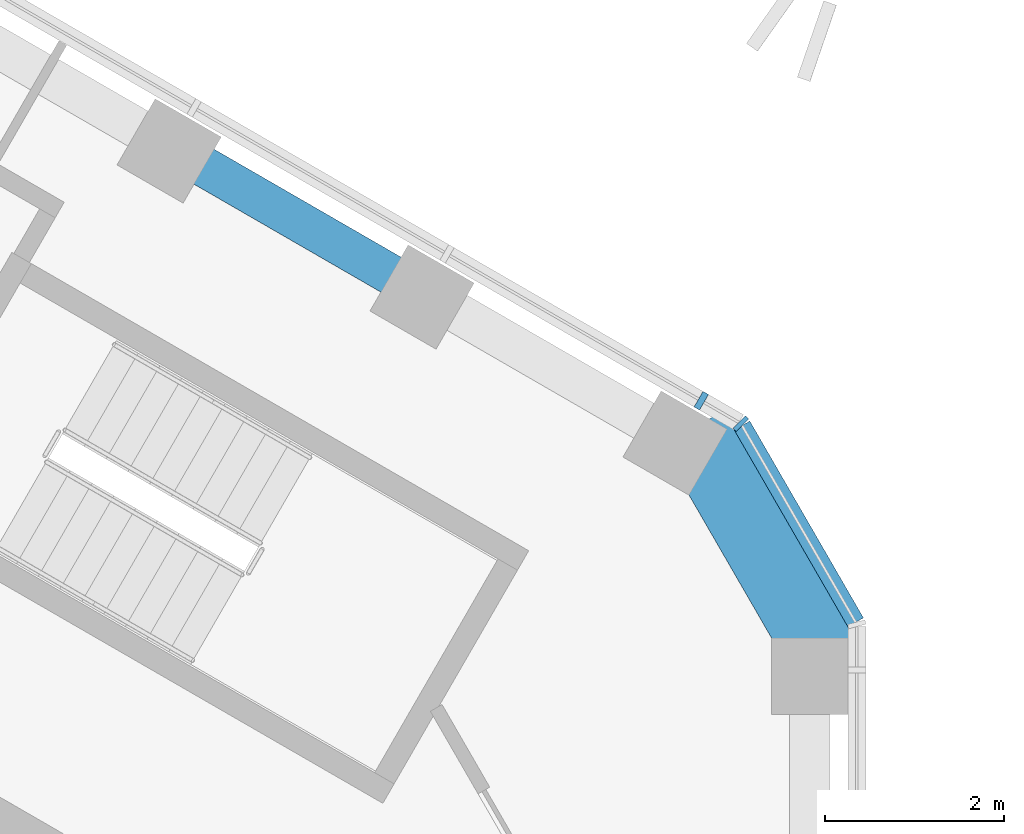
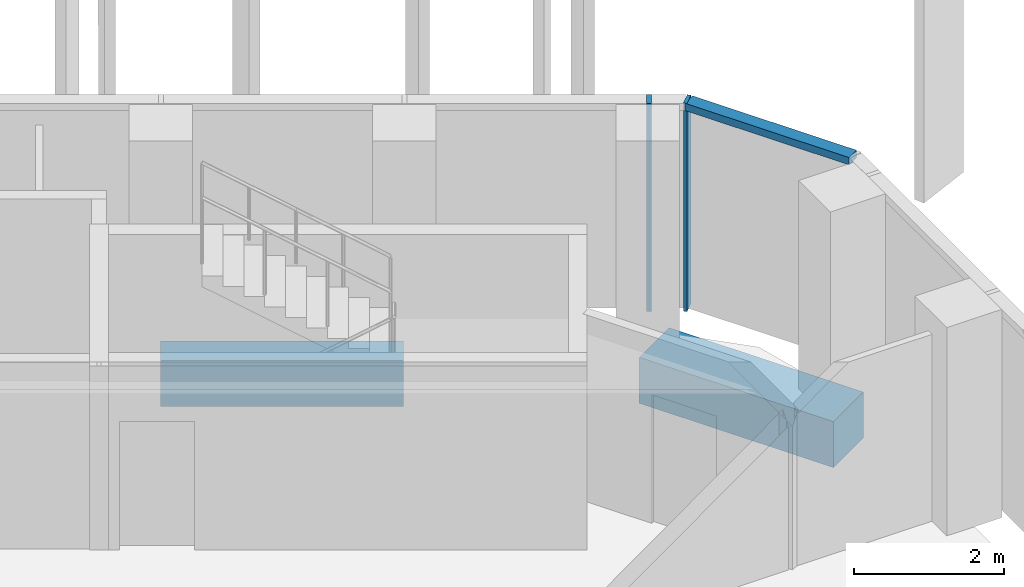
# One storey, part 6 of 18: 3 members, 2 beams, 2 elements without a shape of their own.
"""IFC4 building model written with IfcOpenShell, lengths in metres."""

from ifc_helpers import new_model, si_unit, direction, frame, origin, origin_2d, place, context, subcontext, project, spatial, rectangle, extrude, material, layer, layer_set, material_profile, profile_set, type_object, element, aggregate, save


model = new_model("IFC4")

# Units and contexts
model_context = context("Model", 3, precision=1e-05, world=origin(), true_north=direction((0.0, 1.0)))
body_context = subcontext(model_context, "Body", "Model", "MODEL_VIEW")
ifc_project = project(units=[si_unit("LENGTHUNIT", "METRE"), si_unit("AREAUNIT", "SQUARE_METRE"), si_unit("VOLUMEUNIT", "CUBIC_METRE"), si_unit("PLANEANGLEUNIT", "RADIAN"), si_unit("MASSUNIT", "GRAM", prefix="KILO")], contexts=[model_context])

# Site, building, storey
site_placement = place(None, origin())
site = spatial("IfcSite", under=ifc_project, at=site_placement, CompositionType="ELEMENT")
building_placement = place(site_placement, origin())
building = spatial("IfcBuilding", under=site, at=building_placement, Name="Ayvan Gate Tower", CompositionType="ELEMENT")
storey_placement = place(building_placement, frame((0.0, 0.0, 229.10009765625)))
storey = spatial("IfcBuildingStorey", under=building, at=storey_placement, Name="L61", CompositionType="ELEMENT", Elevation=229.10009765625)

# Beams
ifc_material_1 = material(Name="Concrete C40/50", Category="concrete")
ifc_material_profile_1 = material_profile(ifc_material_1, rectangle(XDim=0.800048828125, YDim=0.75, at=origin_2d()), Name="RC 800x750")
ifc_profile_set_1 = profile_set([ifc_material_profile_1], Name="Concrete C40/50")
beam_type_1 = type_object("IfcBeamType", Name="Corner spandrel beam RC 800x750 C40/50", PredefinedType="BEAM", material=ifc_profile_set_1)
beam_1_placement = place(storey_placement, frame((17.078125, 7.93701171875, -0.72509765625), z_axis=(-0.499990139034, 0.866031096941, 0.0), x_axis=(-0.866031096941, -0.499990139034, 0.0)))
element("IfcBeam", 1, at=beam_1_placement, inside=storey, type_object=beam_type_1, Name="SB-L61-6", PredefinedType="BEAM", context=body_context, shape_type="SweptSolid", body=[
    extrude(rectangle(XDim=0.800048828125, YDim=0.75, at=origin_2d()), origin(), (0.0, 0.0, 1.0), 3.0),
])
ifc_material_profile_2 = material_profile(ifc_material_1, rectangle(XDim=0.449951171875, YDim=0.75, at=origin_2d()), Name="RC 450x750")
ifc_profile_set_2 = profile_set([ifc_material_profile_2], Name="Concrete C40/50")
beam_type_2 = type_object("IfcBeamType", Name="Spandrel beam RC 450x750 C40/50", PredefinedType="BEAM", material=ifc_profile_set_2)
beam_2_placement = place(storey_placement, frame((12.576904296875, 12.0478515625, -0.72509765625), z_axis=(-0.866040267459, 0.499974254476, 0.0), x_axis=(-0.499974254476, -0.866040267459, 0.0)))
element("IfcBeam", 2, at=beam_2_placement, inside=storey, type_object=beam_type_2, Name="SB-L61-8", PredefinedType="BEAM", context=body_context, shape_type="SweptSolid", body=[
    extrude(rectangle(XDim=0.449951171875, YDim=0.75, at=origin_2d()), origin(), (0.0, 0.0, 1.0), 3.245361328125),
])

# Curtain wall, member
ifc_material_2 = material(Name="Bronze anodised aluminium", Category="aluminium")
ifc_layer_1 = layer(ifc_material_2, 0.199951171875)
ifc_layer_set_1 = layer_set([ifc_layer_1], Name="Bronze anodised aluminium")
curtain_wall_type_1 = type_object("IfcCurtainWallType", Name="Stick curtain wall CW-2", PredefinedType="NOTDEFINED", material=ifc_layer_set_1)
curtain_wall_1_placement = place(storey_placement, origin())
curtain_wall_1 = element("IfcCurtainWall", 3, at=curtain_wall_1_placement, inside=storey, type_object=curtain_wall_type_1, Name="Stick curtain wall CW-2 L61", PredefinedType="NOTDEFINED")
ifc_material_profile_3 = material_profile(ifc_material_2, rectangle(XDim=0.199951171875, YDim=0.070068359375, at=origin_2d()), Name="Stick curtain wall CW-2 mullion 200 x 70")
ifc_profile_set_3 = profile_set([ifc_material_profile_3], Name="Bronze anodised aluminium")
member_type_1 = type_object("IfcMemberType", Name="Stick curtain wall CW-2 mullion 200 x 70", PredefinedType="MULLION", material=ifc_profile_set_3)
member_1_placement = place(storey_placement, frame((15.679443359375, 10.84814453125, 0.0), z_axis=(0.0, 0.0, 1.0), x_axis=(0.5, 0.866025403784, 0.0)))
member_1 = element("IfcMember", 4, at=member_1_placement, type_object=member_type_1, Name="CW-2 mullion 1", PredefinedType="MULLION", context=body_context, shape_type="SweptSolid", body=[
    extrude(rectangle(XDim=0.199951171875, YDim=0.070068359375, at=origin_2d()), origin(), (0.0, 0.0, 1.0), 3.39990234375),
])
aggregate(curtain_wall_1, [member_1])

# Curtain wall, members
ifc_layer_2 = layer(ifc_material_2, 0.199951171875)
ifc_layer_set_2 = layer_set([ifc_layer_2], Name="Bronze anodised aluminium")
curtain_wall_type_2 = type_object("IfcCurtainWallType", Name="Stick curtain wall CW-6", PredefinedType="NOTDEFINED", material=ifc_layer_set_2)
curtain_wall_2_placement = place(storey_placement, origin())
curtain_wall_2 = element("IfcCurtainWall", 5, at=curtain_wall_2_placement, inside=storey, type_object=curtain_wall_type_2, Name="Stick curtain wall CW-6 L61", PredefinedType="NOTDEFINED")
ifc_material_profile_4 = material_profile(ifc_material_2, rectangle(XDim=0.199951171875, YDim=0.050048828125, at=origin_2d()), Name="Stick curtain wall CW-6 mullion 200 x 50")
ifc_profile_set_4 = profile_set([ifc_material_profile_4], Name="Bronze anodised aluminium")
member_type_2 = type_object("IfcMemberType", Name="Stick curtain wall CW-6 mullion 200 x 50", PredefinedType="MULLION", material=ifc_profile_set_4)
member_2_placement = place(storey_placement, frame((16.12109375, 10.593017578125, 0.0), z_axis=(0.0, 0.0, 1.0), x_axis=(0.707106781187, 0.707106781187, 0.0)))
member_2 = element("IfcMember", 6, at=member_2_placement, type_object=member_type_2, Name="CW-6 mullion 3", PredefinedType="MULLION", context=body_context, shape_type="SweptSolid", body=[
    extrude(rectangle(XDim=0.199951171875, YDim=0.050048828125, at=origin_2d()), origin(), (0.0, 0.0, 1.0), 3.39990234375),
])
ifc_material_profile_5 = material_profile(ifc_material_2, rectangle(XDim=0.199951171875, YDim=0.1201171875, at=origin_2d()), Name="Stick curtain wall CW-6 transom 200 x 120")
ifc_profile_set_5 = profile_set([ifc_material_profile_5], Name="Bronze anodised aluminium")
member_type_3 = type_object("IfcMemberType", Name="Stick curtain wall CW-6 transom 200 x 120", PredefinedType="USERDEFINED", material=ifc_profile_set_5)
member_3_placement = place(storey_placement, frame((17.39990234375, 8.378173828125, 3.33984375), z_axis=(-0.49997559865, 0.866039491452, 0.0), x_axis=(-0.866039491452, -0.49997559865, 0.0)))
member_3 = element("IfcMember", 7, at=member_3_placement, type_object=member_type_3, Name="CW-6 transom 2", ObjectType="TRANSOM", PredefinedType="USERDEFINED", context=body_context, shape_type="SweptSolid", body=[
    extrude(rectangle(XDim=0.199951171875, YDim=0.1201171875, at=origin_2d()), origin(), (0.0, 0.0, 1.0), 2.532470703125),
])
aggregate(curtain_wall_2, [member_2, member_3])

save(model, "model.ifc")
